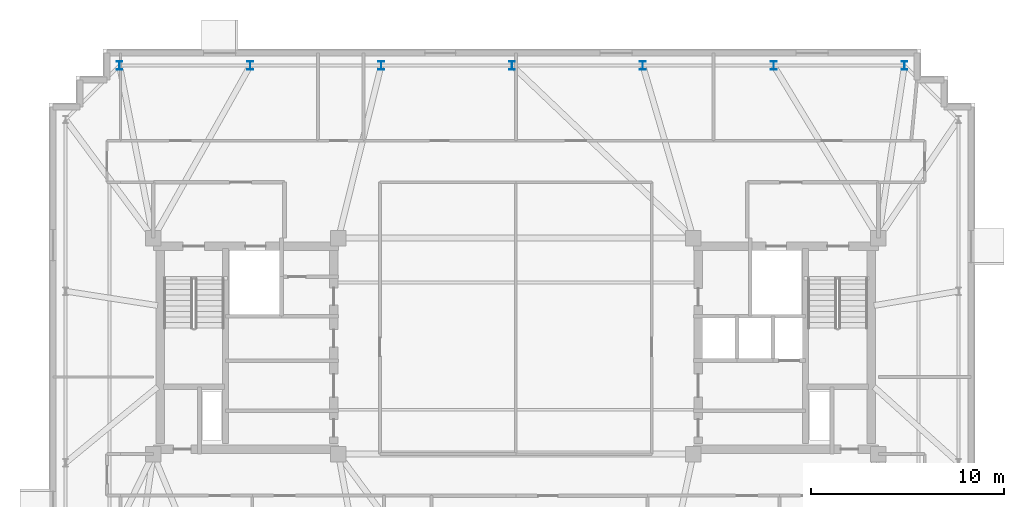
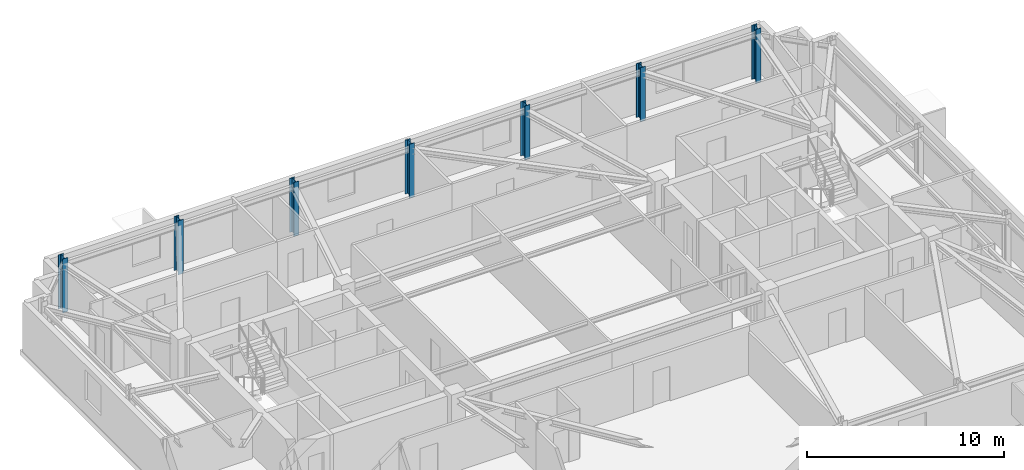
# One storey, part 3 of 10: 7 columns.
"""IFC4 building model written with IfcOpenShell, lengths in metres."""

from ifc_helpers import new_model, si_unit, direction, frame, origin, origin_2d, place, context, subcontext, project, spatial, i_section, extrude, material, material_profile, profile_set, type_object, element, save


model = new_model("IFC4")

# Units and contexts
model_context = context("Model", 3, precision=1e-05, world=origin(), true_north=direction((0.0, 1.0)))
body_context = subcontext(model_context, "Body", "Model", "MODEL_VIEW")
ifc_project = project(units=[si_unit("LENGTHUNIT", "METRE"), si_unit("AREAUNIT", "SQUARE_METRE"), si_unit("VOLUMEUNIT", "CUBIC_METRE"), si_unit("PLANEANGLEUNIT", "RADIAN"), si_unit("MASSUNIT", "GRAM", prefix="KILO")], contexts=[model_context])

# Site, building, storey
site_placement = place(None, origin())
site = spatial("IfcSite", under=ifc_project, at=site_placement, CompositionType="ELEMENT")
building_placement = place(site_placement, origin())
building = spatial("IfcBuilding", under=site, at=building_placement, Name="Qobustan Lattice House", CompositionType="ELEMENT")
storey_placement = place(building_placement, frame((0.0, 0.0, 231.64990234375)))
storey = spatial("IfcBuildingStorey", under=building, at=storey_placement, Name="L65", CompositionType="ELEMENT", Elevation=231.64990234375)

# Columns
ifc_material = material(Name="Steel S355", Category="steel")
ifc_material_profile = material_profile(ifc_material, i_section(OverallWidth=0.300048828125, OverallDepth=0.449951171875, WebThickness=0.013916015625, FlangeThickness=0.02587890625, FilletRadius=0.027099609375, at=origin_2d()), Name="HEB450")
ifc_profile_set = profile_set([ifc_material_profile], Name="Steel S355")
column_type = type_object("IfcColumnType", Name="COL-ST-HEB450", PredefinedType="COLUMN", material=ifc_profile_set)
for number, where, z_axis, x_axis, name in (
    (1, (20.14990234375, 14.550048828125, 0.0), (0.0, 0.0, 1.0), (1.0, 0.0, 0.0), "L65 B5 perimeter column N1"),
    (2, (13.36669921875, 14.550048828125, 0.0), (0.0, 0.0, 1.0), (1.0, 0.0, 0.0), "L65 B5 perimeter column N2"),
    (3, (6.583251953125, 14.550048828125, 0.0), (0.0, 0.0, 1.0), (1.0, 0.0, 0.0), "L65 B5 perimeter column N3"),
    (4, (-0.199951171875, 14.550048828125, 0.0), (0.0, 0.0, 1.0), (1.0, 0.0, 0.0), "L65 B5 perimeter column N4"),
    (5, (-6.9833984375, 14.550048828125, 0.0), (0.0, 0.0, 1.0), (1.0, 0.0, 0.0), "L65 B5 perimeter column N5"),
    (6, (-13.7666015625, 14.550048828125, 0.0), (0.0, 0.0, 1.0), (1.0, 0.0, 0.0), "L65 B5 perimeter column N6"),
    (7, (-20.550048828125, 14.550048828125, 0.0), (0.0, 0.0, 1.0), (1.0, 0.0, 0.0), "L65 B5 perimeter column N7"),
):
    element("IfcColumn", number, at=place(storey_placement, frame(where, z_axis=z_axis, x_axis=x_axis)), inside=storey, type_object=column_type, Name=name, PredefinedType="COLUMN", context=body_context, shape_type="SweptSolid", body=[
        extrude(i_section(OverallWidth=0.300048828125, OverallDepth=0.449951171875, WebThickness=0.013916015625, FlangeThickness=0.02587890625, FilletRadius=0.027099609375, at=origin_2d()), origin(), (0.0, 0.0, 1.0), 3.35009765625),
    ])

save(model, "model.ifc")
